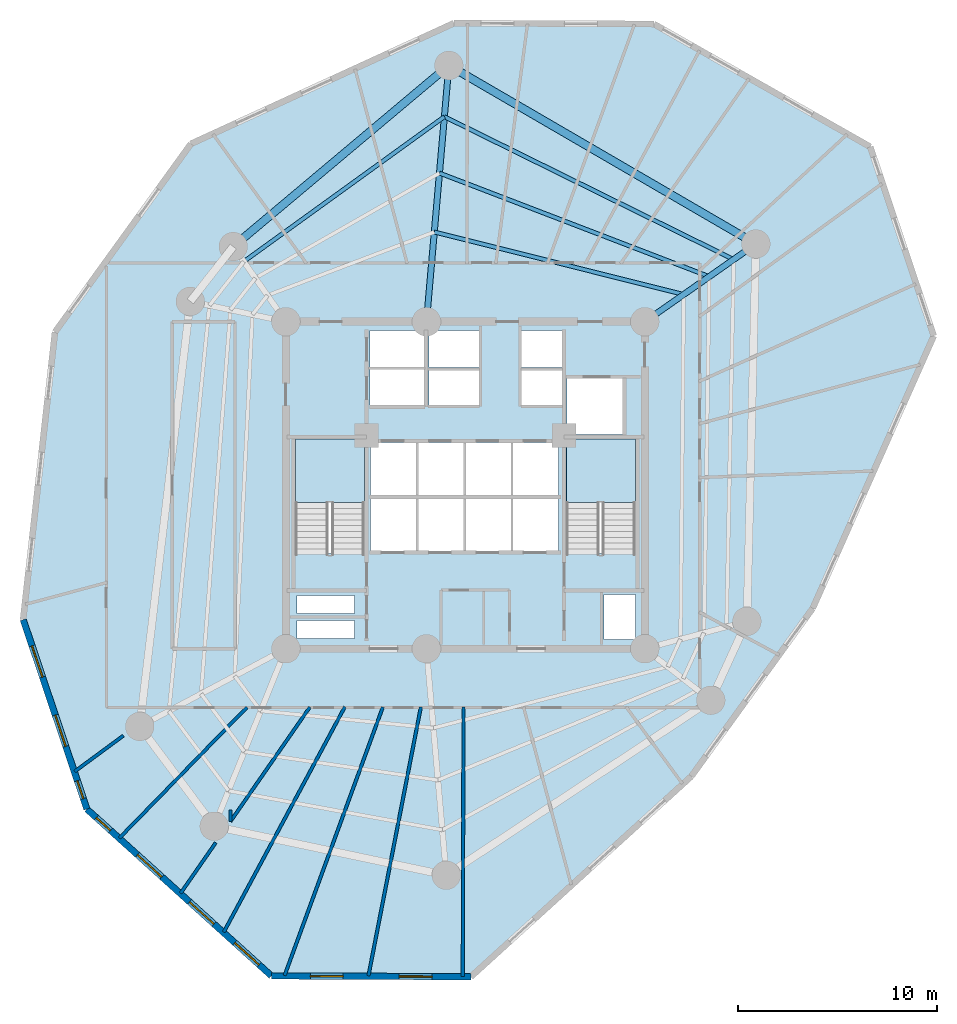
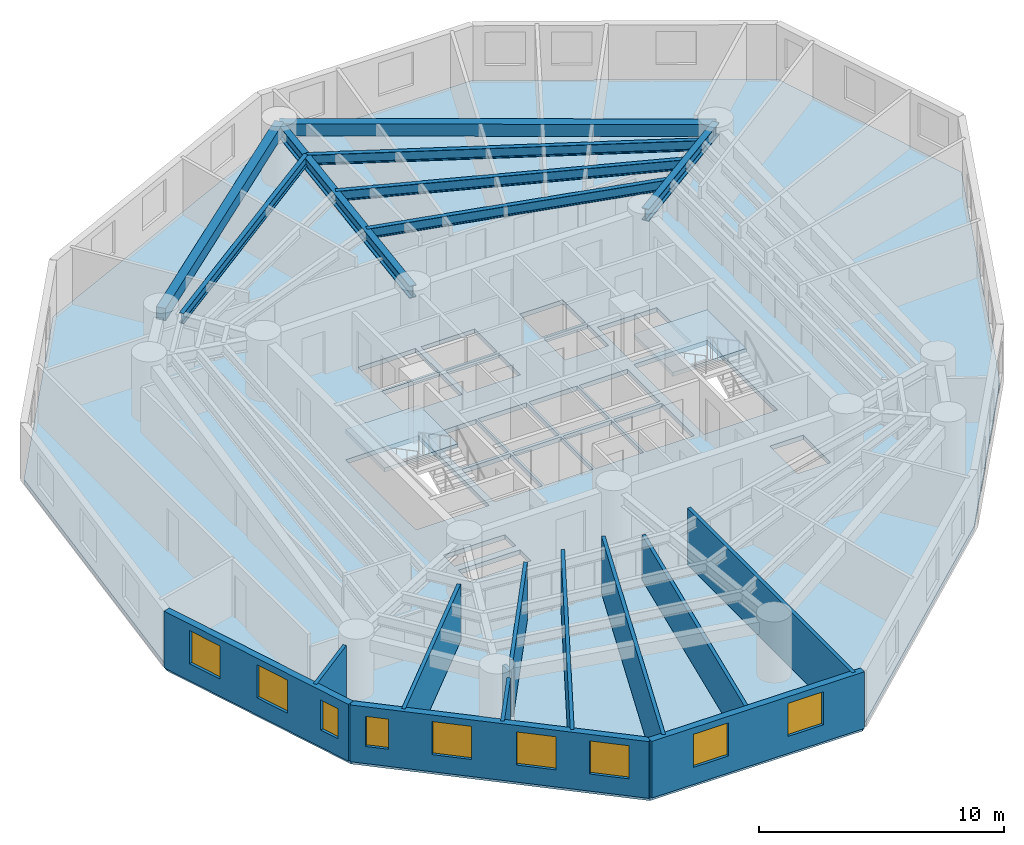
# One storey, part 2 of 8: 12 walls, 9 windows, 8 beams, 3 slabs, 9 openings, 2 elements without a shape of their own.
"""IFC4 building model written with IfcOpenShell, lengths in metres."""

from ifc_helpers import new_model, si_unit, direction, frame, frame_2d, origin, origin_with_axes, origin_2d, place, context, subcontext, project, spatial, polyline, rectangle, i_section, outline, extrude, source, transform, mapped, material, layer, layer_set, material_profile, profile_set, type_object, element, fill, aggregate, save


model = new_model("IFC4")

# Units and contexts
model_context = context("Model", 3, precision=1e-05, world=origin(), true_north=direction((0.0, 1.0)))
body_context = subcontext(model_context, "Body", "Model", "MODEL_VIEW")
ifc_project = project(units=[si_unit("LENGTHUNIT", "METRE"), si_unit("AREAUNIT", "SQUARE_METRE"), si_unit("VOLUMEUNIT", "CUBIC_METRE"), si_unit("PLANEANGLEUNIT", "RADIAN"), si_unit("MASSUNIT", "GRAM", prefix="KILO")], contexts=[model_context])

# Site, building, storey
site_placement = place(None, origin())
site = spatial("IfcSite", under=ifc_project, at=site_placement, CompositionType="ELEMENT")
building_placement = place(site_placement, origin())
building = spatial("IfcBuilding", under=site, at=building_placement, Name="Karkom Vertical University and Central Library", CompositionType="ELEMENT")
storey_placement = place(building_placement, frame((0.0, 0.0, 99.25)))
storey = spatial("IfcBuildingStorey", under=building, at=storey_placement, Name="L26", CompositionType="ELEMENT", Elevation=99.25)

# Beams
ifc_material_1 = material(Name="Precast concrete C45/55", Category="concrete")
ifc_material_profile_1 = material_profile(ifc_material_1, rectangle(XDim=0.39990234375, YDim=0.60009765625, at=origin_2d()), Name="SPB-400x600")
ifc_profile_set_1 = profile_set([ifc_material_profile_1], Name="Precast concrete C45/55")
beam_type_1 = type_object("IfcBeamType", Name="STR-BM-SP-1", PredefinedType="SPANDREL", material=ifc_profile_set_1)
shared_shape_1 = source(origin_with_axes(), body_context, "Body", "SweptSolid", [
    extrude(rectangle(XDim=0.39990234375, YDim=0.60009765625, at=origin_2d()), origin(), (0.0, 0.0, 1.0), 17.808837890625),
])
beam_1_placement = place(storey_placement, frame((43.070068359375, 38.60009765625, 2.52490234375), z_axis=(-0.864512866362, 0.502610688202, 0.0), x_axis=(-0.502610688202, -0.864512866362, 0.0)))
element("IfcBeam", 1, at=beam_1_placement, inside=storey, type_object=beam_type_1, Name="Level 26 Perimeter Spandrel Beam 02", PredefinedType="SPANDREL", context=body_context, shape_type="MappedRepresentation", body=[
    mapped(shared_shape_1, transform((0.0, 0.0, 0.0), scale=1.0)),
])
shared_shape_2 = source(origin_with_axes(), body_context, "Body", "SweptSolid", [
    extrude(rectangle(XDim=0.39990234375, YDim=0.60009765625, at=origin_2d()), origin(), (0.0, 0.0, 1.0), 14.120849609375),
])
beam_2_placement = place(storey_placement, frame((27.674072265625, 47.551025390625, 2.52490234375), z_axis=(-0.765672847866, -0.643230199883, 0.0), x_axis=(0.643230199883, -0.765672847866, 0.0)))
element("IfcBeam", 2, at=beam_2_placement, inside=storey, type_object=beam_type_1, Name="Level 26 Perimeter Spandrel Beam 03", PredefinedType="SPANDREL", context=body_context, shape_type="MappedRepresentation", body=[
    mapped(shared_shape_2, transform((0.0, 0.0, 0.0), scale=1.0)),
])
ifc_material_2 = material(Name="Steel S355", Category="steel")
ifc_material_profile_2 = material_profile(ifc_material_2, i_section(OverallWidth=0.199951171875, OverallDepth=0.5, WebThickness=0.01025390625, FlangeThickness=0.01611328125, FilletRadius=0.02099609375, at=origin_2d()), Name="IPE 500")
ifc_profile_set_2 = profile_set([ifc_material_profile_2], Name="Steel S355")
beam_type_2 = type_object("IfcBeamType", Name="STR-BM-SB-IPE500", PredefinedType="BEAM", material=ifc_profile_set_2)
shared_shape_3 = source(origin_with_axes(), body_context, "Body", "SweptSolid", [
    extrude(i_section(OverallWidth=0.199951171875, OverallDepth=0.5, WebThickness=0.01025390625, FlangeThickness=0.01611328125, FilletRadius=0.02099609375, at=origin_2d()), origin(), (0.0, 0.0, 1.0), 12.892578125),
])
beam_3_placement = place(storey_placement, frame((39.449462890625, 36.06494140625, 2.574951171875), z_axis=(-0.970023194321, 0.243012350468, 0.0), x_axis=(-0.243012350468, -0.970023194321, 0.0)))
element("IfcBeam", 3, at=beam_3_placement, inside=storey, type_object=beam_type_2, Name="Level 26 Secondary Composite Floor Beam 1.02", PredefinedType="BEAM", context=body_context, shape_type="MappedRepresentation", body=[
    mapped(shared_shape_3, transform((0.0, 0.0, 0.0), scale=1.0)),
])
shared_shape_4 = source(origin_with_axes(), body_context, "Body", "SweptSolid", [
    extrude(i_section(OverallWidth=0.199951171875, OverallDepth=0.5, WebThickness=0.01025390625, FlangeThickness=0.01611328125, FilletRadius=0.02099609375, at=origin_2d()), origin(), (0.0, 0.0, 1.0), 14.49072265625),
])
beam_4_placement = place(storey_placement, frame((40.730712890625, 36.9619140625, 2.574951171875), z_axis=(-0.93361673171, 0.35827335691, 0.0), x_axis=(-0.35827335691, -0.93361673171, 0.0)))
element("IfcBeam", 4, at=beam_4_placement, inside=storey, type_object=beam_type_2, Name="Level 26 Secondary Composite Floor Beam 2.02", PredefinedType="BEAM", context=body_context, shape_type="MappedRepresentation", body=[
    mapped(shared_shape_4, transform((0.0, 0.0, 0.0), scale=1.0)),
])
shared_shape_5 = source(origin_with_axes(), body_context, "Body", "SweptSolid", [
    extrude(i_section(OverallWidth=0.199951171875, OverallDepth=0.5, WebThickness=0.01025390625, FlangeThickness=0.01611328125, FilletRadius=0.02099609375, at=origin_2d()), origin(), (0.0, 0.0, 1.0), 16.177978515625),
])
beam_5_placement = place(storey_placement, frame((41.9560546875, 37.820068359375, 2.574951171875), z_axis=(-0.896709262653, 0.442620038263, 0.0), x_axis=(-0.442620038263, -0.896709262653, 0.0)))
element("IfcBeam", 5, at=beam_5_placement, inside=storey, type_object=beam_type_2, Name="Level 26 Secondary Composite Floor Beam 3.02", PredefinedType="BEAM", context=body_context, shape_type="MappedRepresentation", body=[
    mapped(shared_shape_5, transform((0.0, 0.0, 0.0), scale=1.0)),
])
shared_shape_6 = source(origin_with_axes(), body_context, "Body", "SweptSolid", [
    extrude(i_section(OverallWidth=0.199951171875, OverallDepth=0.5, WebThickness=0.01025390625, FlangeThickness=0.01611328125, FilletRadius=0.02099609375, at=origin_2d()), origin(), (0.0, 0.0, 1.0), 12.409423828125),
])
beam_6_placement = place(storey_placement, frame((27.44921875, 44.980712890625, 2.574951171875), z_axis=(-0.810636686292, -0.585549453793, 0.0), x_axis=(0.585549453793, -0.810636686292, 0.0)))
element("IfcBeam", 6, at=beam_6_placement, inside=storey, type_object=beam_type_2, Name="Level 26 Secondary Composite Floor Beam 3.03", PredefinedType="BEAM", context=body_context, shape_type="MappedRepresentation", body=[
    mapped(shared_shape_6, transform((0.0, 0.0, 0.0), scale=1.0)),
])
ifc_material_profile_3 = material_profile(ifc_material_2, i_section(OverallWidth=0.300048828125, OverallDepth=0.60009765625, WebThickness=0.015380859375, FlangeThickness=0.030029296875, FilletRadius=0.027099609375, at=origin_2d()), Name="HE 600 B")
ifc_profile_set_3 = profile_set([ifc_material_profile_3], Name="Steel S355")
beam_type_3 = type_object("IfcBeamType", Name="STR-BM-SB-HE600", PredefinedType="USERDEFINED", material=ifc_profile_set_3)
shared_shape_7 = source(origin_with_axes(), body_context, "Body", "SweptSolid", [
    extrude(i_section(OverallWidth=0.300048828125, OverallDepth=0.60009765625, WebThickness=0.015380859375, FlangeThickness=0.030029296875, FilletRadius=0.027099609375, at=origin_2d()), origin(), (0.0, 0.0, 1.0), 6.7998046875),
])
beam_7_placement = place(storey_placement, frame((37.5, 34.699951171875, 2.52490234375), z_axis=(0.819156008334, 0.573570775066, 0.0), x_axis=(-0.573570775066, 0.819156008334, 0.0)))
element("IfcBeam", 7, at=beam_7_placement, inside=storey, type_object=beam_type_3, Name="Level 26 Radial Frame Girder 02", ObjectType="GIRDER", PredefinedType="USERDEFINED", context=body_context, shape_type="MappedRepresentation", body=[
    mapped(shared_shape_7, transform((0.0, 0.0, 0.0), scale=1.0)),
])
shared_shape_8 = source(origin_with_axes(), body_context, "Body", "SweptSolid", [
    extrude(i_section(OverallWidth=0.300048828125, OverallDepth=0.60009765625, WebThickness=0.015380859375, FlangeThickness=0.030029296875, FilletRadius=0.027099609375, at=origin_2d()), origin(), (0.0, 0.0, 1.0), 12.900146484375),
])
beam_8_placement = place(storey_placement, frame((26.550048828125, 34.699951171875, 2.52490234375), z_axis=(0.087132673751, 0.996196716098, 0.0), x_axis=(-0.996196716098, 0.087132673751, 0.0)))
element("IfcBeam", 8, at=beam_8_placement, inside=storey, type_object=beam_type_3, Name="Level 26 Radial Frame Girder 03", ObjectType="GIRDER", PredefinedType="USERDEFINED", context=body_context, shape_type="MappedRepresentation", body=[
    mapped(shared_shape_8, transform((0.0, 0.0, 0.0), scale=1.0)),
])

# Stair, slab
ifc_material_3 = material(Name="Concrete C45/55", Category="concrete")
stair_type = type_object("IfcStairType", Name="INT-STR-ST-MAIN", PredefinedType="HALF_TURN_STAIR", material=ifc_material_3)
stair_1_placement = place(storey_placement, origin())
stair_1 = element("IfcStair", 9, at=stair_1_placement, inside=storey, type_object=stair_type, Name="Level 26 Tower Protected Exit Stair ST-1", PredefinedType="HALF_TURN_STAIR")
ifc_layer_1 = layer(ifc_material_3, 0.199951171875)
ifc_layer_set_1 = layer_set([ifc_layer_1], Name="Concrete C45/55")
slab_type_1 = type_object("IfcSlabType", Name="INT-SLB-LANDING", PredefinedType="LANDING", material=ifc_layer_set_1)
slab_1_placement = place(storey_placement, frame((0.0, 0.0, 1.324951171875)))
slab_1 = element("IfcSlab", 10, at=slab_1_placement, type_object=slab_type_1, Name="ST-1 landing 1", PredefinedType="LANDING", context=body_context, shape_type="SweptSolid", body=[
    extrude(outline(polyline([(23.43994140625, 25.6298828125), (23.43994140625, 28.820068359375), (19.97998046875, 28.820068359375), (19.97998046875, 25.6298828125), (23.43994140625, 25.6298828125)])), origin(), (0.0, 0.0, 1.0), 0.199951171875),
])
aggregate(stair_1, [slab_1])

stair_2_placement = place(storey_placement, origin())
stair_2 = element("IfcStair", 11, at=stair_2_placement, inside=storey, type_object=stair_type, Name="Level 26 Tower Protected Exit Stair ST-2", PredefinedType="HALF_TURN_STAIR")
slab_2_placement = place(storey_placement, frame((0.0, 0.0, 1.324951171875)))
slab_2 = element("IfcSlab", 12, at=slab_2_placement, type_object=slab_type_1, Name="ST-2 landing 1", PredefinedType="LANDING", context=body_context, shape_type="SweptSolid", body=[
    extrude(outline(polyline([(37.02001953125, 25.6298828125), (37.02001953125, 28.820068359375), (33.56005859375, 28.820068359375), (33.56005859375, 25.6298828125), (37.02001953125, 25.6298828125)])), origin(), (0.0, 0.0, 1.0), 0.199951171875),
])
aggregate(stair_2, [slab_2])

# Slab
ifc_layer_2 = layer(ifc_material_3, 0.22509765625)
ifc_layer_set_2 = layer_set([ifc_layer_2], Name="Concrete C45/55")
slab_type_2 = type_object("IfcSlabType", Name="STR-SLB-FLR-225", PredefinedType="FLOOR", material=ifc_layer_set_2)
slab_3_placement = place(storey_placement, frame((0.0, 0.0, -0.22509765625)))
element("IfcSlab", 13, at=slab_3_placement, inside=storey, type_object=slab_type_2, Name="Level 26 Tower Structural Floor Slab", PredefinedType="FLOOR", context=body_context, shape_type="SweptSolid", body=[
    extrude(outline(polyline([(14.740234375, 43.616943359375), (7.925537109375, 34.18212890625), (6.3271484375, 19.756591796875), (9.5185546875, 10.257568359375), (18.7734375, 1.893798828125), (28.772705078125, 1.85009765625), (39.832275390625, 11.90576171875), (45.91650390625, 20.329345703125), (51.986328125, 33.9892578125), (48.8017578125, 43.468017578125), (37.952880859375, 49.624755859375), (27.93212890625, 49.668701171875), (14.740234375, 43.616943359375)]), holes=[polyline([(19.97998046875, 23.0849609375), (23.43994140625, 23.0849609375), (23.43994140625, 28.820068359375), (19.97998046875, 28.820068359375), (19.97998046875, 23.0849609375)]), polyline([(33.56005859375, 23.0849609375), (37.02001953125, 23.0849609375), (37.02001953125, 28.820068359375), (33.56005859375, 28.820068359375), (33.56005859375, 23.0849609375)]), polyline([(23.75, 23.199951171875), (26.030029296875, 23.199951171875), (26.030029296875, 25.85009765625), (23.75, 25.85009765625), (23.75, 23.199951171875)]), polyline([(26.1298828125, 23.199951171875), (28.409912109375, 23.199951171875), (28.409912109375, 25.85009765625), (26.1298828125, 25.85009765625), (26.1298828125, 23.199951171875)]), polyline([(28.510009765625, 23.199951171875), (30.7900390625, 23.199951171875), (30.7900390625, 25.85009765625), (28.510009765625, 25.85009765625), (28.510009765625, 23.199951171875)]), polyline([(30.889892578125, 23.199951171875), (33.169921875, 23.199951171875), (33.169921875, 25.85009765625), (30.889892578125, 25.85009765625), (30.889892578125, 23.199951171875)]), polyline([(23.75, 26.0), (26.030029296875, 26.0), (26.030029296875, 28.64990234375), (23.75, 28.64990234375), (23.75, 26.0)]), polyline([(26.1298828125, 26.0), (28.409912109375, 26.0), (28.409912109375, 28.64990234375), (26.1298828125, 28.64990234375), (26.1298828125, 26.0)]), polyline([(28.510009765625, 26.0), (30.7900390625, 26.0), (30.7900390625, 28.64990234375), (28.510009765625, 28.64990234375), (28.510009765625, 26.0)]), polyline([(30.889892578125, 26.0), (33.169921875, 26.0), (33.169921875, 28.64990234375), (30.889892578125, 28.64990234375), (30.889892578125, 26.0)]), polyline([(26.679931640625, 30.5), (29.199951171875, 30.5), (29.199951171875, 32.25), (26.679931640625, 32.25), (26.679931640625, 30.5)]), polyline([(26.679931640625, 32.39990234375), (29.199951171875, 32.39990234375), (29.199951171875, 34.25), (26.679931640625, 34.25), (26.679931640625, 32.39990234375)]), polyline([(31.300048828125, 30.5), (33.35009765625, 30.5), (33.35009765625, 32.25), (31.300048828125, 32.25), (31.300048828125, 30.5)]), polyline([(31.300048828125, 32.39990234375), (33.35009765625, 32.39990234375), (33.35009765625, 34.25), (31.300048828125, 34.25), (31.300048828125, 32.39990234375)]), polyline([(23.719970703125, 30.47998046875), (26.429931640625, 30.47998046875), (26.429931640625, 32.320068359375), (23.719970703125, 32.320068359375), (23.719970703125, 30.47998046875)]), polyline([(23.719970703125, 32.419921875), (26.429931640625, 32.419921875), (26.429931640625, 34.260009765625), (23.719970703125, 34.260009765625), (23.719970703125, 32.419921875)]), polyline([(33.60009765625, 29.050048828125), (36.39990234375, 29.050048828125), (36.39990234375, 31.85009765625), (33.60009765625, 31.85009765625), (33.60009765625, 29.050048828125)]), polyline([(20.050048828125, 18.820068359375), (22.949951171875, 18.820068359375), (22.949951171875, 19.719970703125), (20.050048828125, 19.719970703125), (20.050048828125, 18.820068359375)]), polyline([(20.050048828125, 20.06005859375), (22.949951171875, 20.06005859375), (22.949951171875, 20.9599609375), (20.050048828125, 20.9599609375), (20.050048828125, 20.06005859375)]), polyline([(35.4599609375, 18.760009765625), (37.0400390625, 18.760009765625), (37.0400390625, 21.010009765625), (35.4599609375, 21.010009765625), (35.4599609375, 18.760009765625)])]), origin(), (0.0, 0.0, 1.0), 0.22509765625),
])

# Wall, openings, windows
ifc_material_4 = material(Name="Brick-faced precast concrete C45/55", Category="masonry")
ifc_layer_3 = layer(ifc_material_4, 0.320068359375)
ifc_layer_set_3 = layer_set([ifc_layer_3], Name="Brick-faced precast concrete C45/55")
wall_type_1 = type_object("IfcWallType", Name="ENV-WL-BRK-320", PredefinedType="SOLIDWALL", material=ifc_layer_set_3)
wall_1_placement = place(storey_placement, frame((6.3271484375, 19.756591796875, 0.0), z_axis=(0.0, 0.0, 1.0), x_axis=(0.318478051642, -0.947930235103, 0.0)))
wall_1 = element("IfcWall", 14, at=wall_1_placement, inside=storey, type_object=wall_type_1, Name="Level 26 Brick-Faced Precast Facade Wall 03", PredefinedType="SOLIDWALL", context=body_context, shape_type="SweptSolid", body=[
    extrude(rectangle(XDim=10.020751953125, YDim=0.320068359375, at=frame_2d((5.01025390625, 0.0))), origin(), (0.0, 0.0, 1.0), 2.824951171875),
])
opening_1_placement = place(wall_1_placement, frame((1.38671875, 0.0, 0.85009765625)))
opening_1 = element("IfcOpeningElement", 15, at=opening_1_placement, cuts=wall_1, Name="Opening WN-06", PredefinedType="OPENING", context=body_context, shape_type="SweptSolid", body=[
    extrude(rectangle(XDim=1.64990234375, YDim=1.64990234375, at=frame_2d((0.824951171875, 0.824951171875))), frame((0.0, 0.169921875, 0.0), z_axis=(0.0, -1.0, 0.0), x_axis=(1.0, 0.0, 0.0)), (0.0, 0.0, 1.0), 0.340087890625),
])
opening_2_placement = place(wall_1_placement, frame((5.0498046875, 0.0, 0.85009765625)))
opening_2 = element("IfcOpeningElement", 16, at=opening_2_placement, cuts=wall_1, Name="Opening WN-06", PredefinedType="OPENING", context=body_context, shape_type="SweptSolid", body=[
    extrude(rectangle(XDim=1.64990234375, YDim=1.64990234375, at=frame_2d((0.824951171875, 0.824951171875))), frame((0.0, 0.169921875, 0.0), z_axis=(0.0, -1.0, 0.0), x_axis=(1.0, 0.0, 0.0)), (0.0, 0.0, 1.0), 0.340087890625),
])
opening_3_placement = place(wall_1_placement, frame((8.5185546875, 0.0, 0.85009765625)))
opening_3 = element("IfcOpeningElement", 17, at=opening_3_placement, cuts=wall_1, Name="Opening WN-12", PredefinedType="OPENING", context=body_context, shape_type="SweptSolid", body=[
    extrude(rectangle(XDim=0.949951171875, YDim=1.5, at=frame_2d((0.47509765625, 0.75))), frame((0.0, 0.169921875, 0.0), z_axis=(0.0, -1.0, 0.0), x_axis=(1.0, 0.0, 0.0)), (0.0, 0.0, 1.0), 0.340087890625),
])
ifc_material_5 = material(Name="Aluminium thermal-break frame with solar-control IGU", Category="aluminium")
window_type_1 = type_object("IfcWindowType", Name="ENV-WIN-WN-06", PartitioningType="SINGLE_PANEL", PredefinedType="WINDOW", material=ifc_material_5)
shared_shape_9 = source(origin_with_axes(), body_context, "Body", "SweptSolid", [
    extrude(rectangle(XDim=1.64990234375, YDim=1.64990234375, at=frame_2d((0.824951171875, 0.824951171875))), frame((0.0, 0.030029296875, 0.0), z_axis=(0.0, -1.0, 0.0), x_axis=(1.0, 0.0, 0.0)), (0.0, 0.0, 1.0), 0.06005859375),
])
window_1_placement = place(opening_1_placement, origin())
window_1 = element("IfcWindow", 18, at=window_1_placement, inside=storey, type_object=window_type_1, Name="Level 26 Punched Window 3.1", OverallHeight=1.64990234375, OverallWidth=1.64990234375, PartitioningType="SINGLE_PANEL", PredefinedType="WINDOW", context=body_context, shape_type="MappedRepresentation", body=[
    mapped(shared_shape_9, transform((0.0, 0.0, 0.0), scale=1.0)),
])
fill(opening_1, window_1)
window_2_placement = place(opening_2_placement, origin())
window_2 = element("IfcWindow", 19, at=window_2_placement, inside=storey, type_object=window_type_1, Name="Level 26 Punched Window 3.2", OverallHeight=1.64990234375, OverallWidth=1.64990234375, PartitioningType="SINGLE_PANEL", PredefinedType="WINDOW", context=body_context, shape_type="MappedRepresentation", body=[
    mapped(shared_shape_9, transform((0.0, 0.0, 0.0), scale=1.0)),
])
fill(opening_2, window_2)
window_type_2 = type_object("IfcWindowType", Name="ENV-WIN-WN-12", PartitioningType="SINGLE_PANEL", PredefinedType="WINDOW", material=ifc_material_5)
shared_shape_10 = source(origin_with_axes(), body_context, "Body", "SweptSolid", [
    extrude(rectangle(XDim=0.949951171875, YDim=1.5, at=frame_2d((0.47509765625, 0.75))), frame((0.0, 0.030029296875, 0.0), z_axis=(0.0, -1.0, 0.0), x_axis=(1.0, 0.0, 0.0)), (0.0, 0.0, 1.0), 0.06005859375),
])
window_3_placement = place(opening_3_placement, origin())
window_3 = element("IfcWindow", 20, at=window_3_placement, inside=storey, type_object=window_type_2, Name="Level 26 Punched Window 3.3", OverallHeight=1.5, OverallWidth=0.949951171875, PartitioningType="SINGLE_PANEL", PredefinedType="WINDOW", context=body_context, shape_type="MappedRepresentation", body=[
    mapped(shared_shape_10, transform((0.0, 0.0, 0.0), scale=1.0)),
])
fill(opening_3, window_3)

wall_2_placement = place(storey_placement, frame((9.5185546875, 10.257568359375, 0.0), z_axis=(0.0, 0.0, 1.0), x_axis=(0.74192235479, -0.670485808547, 0.0)))
wall_2 = element("IfcWall", 21, at=wall_2_placement, inside=storey, type_object=wall_type_1, Name="Level 26 Brick-Faced Precast Facade Wall 04", PredefinedType="SOLIDWALL", context=body_context, shape_type="SweptSolid", body=[
    extrude(rectangle(XDim=12.47412109375, YDim=0.320068359375, at=frame_2d((6.237060546875, 0.0))), origin(), (0.0, 0.0, 1.0), 2.824951171875),
])
opening_4_placement = place(wall_2_placement, frame((0.647216796875, 0.0, 0.85009765625)))
opening_4 = element("IfcOpeningElement", 22, at=opening_4_placement, cuts=wall_2, Name="Opening WN-12", PredefinedType="OPENING", context=body_context, shape_type="SweptSolid", body=[
    extrude(rectangle(XDim=0.949951171875, YDim=1.5, at=frame_2d((0.47509765625, 0.75))), frame((0.0, 0.169921875, 0.0), z_axis=(0.0, -1.0, 0.0), x_axis=(1.0, 0.0, 0.0)), (0.0, 0.0, 1.0), 0.340087890625),
])
opening_5_placement = place(wall_2_placement, frame((3.423828125, 0.0, 0.85009765625)))
opening_5 = element("IfcOpeningElement", 23, at=opening_5_placement, cuts=wall_2, Name="Opening WN-06", PredefinedType="OPENING", context=body_context, shape_type="SweptSolid", body=[
    extrude(rectangle(XDim=1.64990234375, YDim=1.64990234375, at=frame_2d((0.824951171875, 0.824951171875))), frame((0.0, 0.169921875, 0.0), z_axis=(0.0, -1.0, 0.0), x_axis=(1.0, 0.0, 0.0)), (0.0, 0.0, 1.0), 0.340087890625),
])
opening_6_placement = place(wall_2_placement, frame((6.942626953125, 0.0, 0.85009765625)))
opening_6 = element("IfcOpeningElement", 24, at=opening_6_placement, cuts=wall_2, Name="Opening WN-06", PredefinedType="OPENING", context=body_context, shape_type="SweptSolid", body=[
    extrude(rectangle(XDim=1.64990234375, YDim=1.64990234375, at=frame_2d((0.824951171875, 0.824951171875))), frame((0.0, 0.169921875, 0.0), z_axis=(0.0, -1.0, 0.0), x_axis=(1.0, 0.0, 0.0)), (0.0, 0.0, 1.0), 0.340087890625),
])
opening_7_placement = place(wall_2_placement, frame((9.9931640625, 0.0, 0.85009765625)))
opening_7 = element("IfcOpeningElement", 25, at=opening_7_placement, cuts=wall_2, Name="Opening WN-06", PredefinedType="OPENING", context=body_context, shape_type="SweptSolid", body=[
    extrude(rectangle(XDim=1.64990234375, YDim=1.64990234375, at=frame_2d((0.824951171875, 0.824951171875))), frame((0.0, 0.169921875, 0.0), z_axis=(0.0, -1.0, 0.0), x_axis=(1.0, 0.0, 0.0)), (0.0, 0.0, 1.0), 0.340087890625),
])
window_4_placement = place(opening_5_placement, origin())
window_4 = element("IfcWindow", 26, at=window_4_placement, inside=storey, type_object=window_type_1, Name="Level 26 Punched Window 4.2", OverallHeight=1.64990234375, OverallWidth=1.64990234375, PartitioningType="SINGLE_PANEL", PredefinedType="WINDOW", context=body_context, shape_type="MappedRepresentation", body=[
    mapped(shared_shape_9, transform((0.0, 0.0, 0.0), scale=1.0)),
])
fill(opening_5, window_4)
window_5_placement = place(opening_6_placement, origin())
window_5 = element("IfcWindow", 27, at=window_5_placement, inside=storey, type_object=window_type_1, Name="Level 26 Punched Window 4.3", OverallHeight=1.64990234375, OverallWidth=1.64990234375, PartitioningType="SINGLE_PANEL", PredefinedType="WINDOW", context=body_context, shape_type="MappedRepresentation", body=[
    mapped(shared_shape_9, transform((0.0, 0.0, 0.0), scale=1.0)),
])
fill(opening_6, window_5)
window_6_placement = place(opening_7_placement, origin())
window_6 = element("IfcWindow", 28, at=window_6_placement, inside=storey, type_object=window_type_1, Name="Level 26 Punched Window 4.4", OverallHeight=1.64990234375, OverallWidth=1.64990234375, PartitioningType="SINGLE_PANEL", PredefinedType="WINDOW", context=body_context, shape_type="MappedRepresentation", body=[
    mapped(shared_shape_9, transform((0.0, 0.0, 0.0), scale=1.0)),
])
fill(opening_7, window_6)
window_7_placement = place(opening_4_placement, origin())
window_7 = element("IfcWindow", 29, at=window_7_placement, inside=storey, type_object=window_type_2, Name="Level 26 Punched Window 4.1", OverallHeight=1.5, OverallWidth=0.949951171875, PartitioningType="SINGLE_PANEL", PredefinedType="WINDOW", context=body_context, shape_type="MappedRepresentation", body=[
    mapped(shared_shape_10, transform((0.0, 0.0, 0.0), scale=1.0)),
])
fill(opening_4, window_7)

wall_3_placement = place(storey_placement, frame((18.7734375, 1.893798828125, 0.0), z_axis=(0.0, 0.0, 1.0), x_axis=(0.999990449776, -0.004370395549, 0.0)))
wall_3 = element("IfcWall", 30, at=wall_3_placement, inside=storey, type_object=wall_type_1, Name="Level 26 Brick-Faced Precast Facade Wall 05", PredefinedType="SOLIDWALL", context=body_context, shape_type="SweptSolid", body=[
    extrude(rectangle(XDim=9.999267578125, YDim=0.320068359375, at=frame_2d((4.99951171875, 0.0))), origin(), (0.0, 0.0, 1.0), 2.824951171875),
])
opening_8_placement = place(wall_3_placement, frame((1.949951171875, 0.0, 0.85009765625)))
opening_8 = element("IfcOpeningElement", 31, at=opening_8_placement, cuts=wall_3, Name="Opening WN-06", PredefinedType="OPENING", context=body_context, shape_type="SweptSolid", body=[
    extrude(rectangle(XDim=1.64990234375, YDim=1.64990234375, at=frame_2d((0.824951171875, 0.824951171875))), frame((0.0, 0.169921875, 0.0), z_axis=(0.0, -1.0, 0.0), x_axis=(1.0, 0.0, 0.0)), (0.0, 0.0, 1.0), 0.340087890625),
])
opening_9_placement = place(wall_3_placement, frame((6.409912109375, 0.0, 0.85009765625)))
opening_9 = element("IfcOpeningElement", 32, at=opening_9_placement, cuts=wall_3, Name="Opening WN-06", PredefinedType="OPENING", context=body_context, shape_type="SweptSolid", body=[
    extrude(rectangle(XDim=1.64990234375, YDim=1.64990234375, at=frame_2d((0.824951171875, 0.824951171875))), frame((0.0, 0.169921875, 0.0), z_axis=(0.0, -1.0, 0.0), x_axis=(1.0, 0.0, 0.0)), (0.0, 0.0, 1.0), 0.340087890625),
])
window_8_placement = place(opening_8_placement, origin())
window_8 = element("IfcWindow", 33, at=window_8_placement, inside=storey, type_object=window_type_1, Name="Level 26 Punched Window 5.1", OverallHeight=1.64990234375, OverallWidth=1.64990234375, PartitioningType="SINGLE_PANEL", PredefinedType="WINDOW", context=body_context, shape_type="MappedRepresentation", body=[
    mapped(shared_shape_9, transform((0.0, 0.0, 0.0), scale=1.0)),
])
fill(opening_8, window_8)
window_9_placement = place(opening_9_placement, origin())
window_9 = element("IfcWindow", 34, at=window_9_placement, inside=storey, type_object=window_type_1, Name="Level 26 Punched Window 5.2", OverallHeight=1.64990234375, OverallWidth=1.64990234375, PartitioningType="SINGLE_PANEL", PredefinedType="WINDOW", context=body_context, shape_type="MappedRepresentation", body=[
    mapped(shared_shape_9, transform((0.0, 0.0, 0.0), scale=1.0)),
])
fill(opening_9, window_9)

# Walls
ifc_material_6 = material(Name="Insulated metal-stud drywall 160mm", Category="gypsum")
ifc_layer_4 = layer(ifc_material_6, 0.159912109375)
ifc_layer_set_4 = layer_set([ifc_layer_4], Name="Insulated metal-stud drywall 160mm")
wall_type_2 = type_object("IfcWallType", Name="INT-WL-COR-160", PredefinedType="PARTITIONING", material=ifc_layer_set_4)
wall_4_placement = place(storey_placement, frame((24.364501953125, 15.378173828125, 0.0), z_axis=(0.0, 0.0, 1.0), x_axis=(-0.343761077949, -0.939057144847, 0.0)))
element("IfcWall", 35, at=wall_4_placement, inside=storey, type_object=wall_type_2, Name="Level 26 Interior Partition Wall L26-PW-008", PredefinedType="PARTITIONING", context=body_context, shape_type="SweptSolid", body=[
    extrude(rectangle(XDim=14.33203125, YDim=0.159912109375, at=frame_2d((7.166015625, 0.0))), origin(), (0.0, 0.0, 1.0), 2.824951171875),
])
wall_5_placement = place(storey_placement, frame((26.27001953125, 15.37939453125, 0.0), z_axis=(0.0, 0.0, 1.0), x_axis=(-0.191458153646, -0.981500777077, 0.0)))
element("IfcWall", 36, at=wall_5_placement, inside=storey, type_object=wall_type_2, Name="Level 26 Interior Partition Wall L26-PW-009", PredefinedType="PARTITIONING", context=body_context, shape_type="SweptSolid", body=[
    extrude(rectangle(XDim=13.73486328125, YDim=0.159912109375, at=frame_2d((6.867431640625, 0.0))), origin(), (0.0, 0.0, 1.0), 2.22509765625),
])
wall_6_placement = place(storey_placement, frame((28.408203125, 15.3798828125, 0.0), z_axis=(0.0, 0.0, 1.0), x_axis=(-0.002856666281, -0.999995919721, 0.0)))
element("IfcWall", 37, at=wall_6_placement, inside=storey, type_object=wall_type_2, Name="Level 26 Interior Partition Wall L26-PW-010", PredefinedType="PARTITIONING", context=body_context, shape_type="SweptSolid", body=[
    extrude(rectangle(XDim=13.503173828125, YDim=0.159912109375, at=frame_2d((6.75146484375, 0.0))), origin(), (0.0, 0.0, 1.0), 2.824951171875),
])
wall_7_placement = place(storey_placement, frame((22.459716796875, 15.3896484375, 0.0), z_axis=(0.0, 0.0, 1.0), x_axis=(-0.473459721756, -0.88081546982, 0.0)))
element("IfcWall", 38, at=wall_7_placement, inside=storey, type_object=wall_type_2, Name="Level 26 Interior Partition Wall L26-PW-007", PredefinedType="PARTITIONING", context=body_context, shape_type="SweptSolid", body=[
    extrude(rectangle(XDim=12.83056640625, YDim=0.159912109375, at=frame_2d((6.415283203125, 0.0))), origin(), (0.0, 0.0, 1.0), 2.824951171875),
])
wall_8_placement = place(storey_placement, frame((17.55615234375, 15.37158203125, 0.0), z_axis=(0.0, 0.0, 1.0), x_axis=(-0.698423045648, -0.715685160743, 0.0)))
element("IfcWall", 39, at=wall_8_placement, inside=storey, type_object=wall_type_2, Name="Level 26 Interior Partition Wall L26-PW-003", PredefinedType="PARTITIONING", context=body_context, shape_type="SweptSolid", body=[
    extrude(rectangle(XDim=9.164794921875, YDim=0.159912109375, at=frame_2d((4.58251953125, 0.0))), origin(), (0.0, 0.0, 1.0), 2.824951171875),
])
wall_9_placement = place(storey_placement, frame((20.703125, 15.37451171875, 0.0), z_axis=(0.0, 0.0, 1.0), x_axis=(-0.570299409109, -0.821436902002, 0.0)))
element("IfcWall", 40, at=wall_9_placement, inside=storey, type_object=wall_type_2, Name="Level 26 Interior Partition Wall L26-PW-004", PredefinedType="PARTITIONING", context=body_context, shape_type="SweptSolid", body=[
    extrude(rectangle(XDim=6.97705078125, YDim=0.159912109375, at=frame_2d((3.488525390625, 0.0))), origin(), (0.0, 0.0, 1.0), 2.824951171875),
])
wall_10_placement = place(storey_placement, frame((15.985107421875, 8.5791015625, 0.0), z_axis=(0.0, 0.0, 1.0), x_axis=(-0.570244784971, -0.821474823238, 0.0)))
element("IfcWall", 41, at=wall_10_placement, inside=storey, type_object=wall_type_2, Name="Level 26 Interior Partition Wall L26-PW-006", PredefinedType="PARTITIONING", context=body_context, shape_type="SweptSolid", body=[
    extrude(rectangle(XDim=3.09033203125, YDim=0.159912109375, at=frame_2d((1.545166015625, 0.0))), origin(), (0.0, 0.0, 1.0), 2.824951171875),
])
wall_11_placement = place(storey_placement, frame((11.35205078125, 13.943115234375, 0.0), z_axis=(0.0, 0.0, 1.0), x_axis=(-0.805183458548, -0.593025798832, 0.0)))
element("IfcWall", 42, at=wall_11_placement, inside=storey, type_object=wall_type_2, Name="Level 26 Interior Partition Wall L26-PW-001", PredefinedType="PARTITIONING", context=body_context, shape_type="SweptSolid", body=[
    extrude(rectangle(XDim=3.02880859375, YDim=0.159912109375, at=frame_2d((1.514404296875, 0.0))), origin(), (0.0, 0.0, 1.0), 2.824951171875),
])
wall_12_placement = place(storey_placement, frame((16.72412109375, 9.643310546875, 0.0), z_axis=(0.0, 0.0, 1.0), x_axis=(0.0, 1.0, 0.0)))
element("IfcWall", 43, at=wall_12_placement, inside=storey, type_object=wall_type_2, Name="Level 26 Interior Partition Wall L26-PW-005", PredefinedType="PARTITIONING", context=body_context, shape_type="SweptSolid", body=[
    extrude(rectangle(XDim=0.57568359375, YDim=0.159912109375, at=frame_2d((0.287841796875, 0.0))), origin(), (0.0, 0.0, 1.0), 2.22509765625),
])

save(model, "model.ifc")
